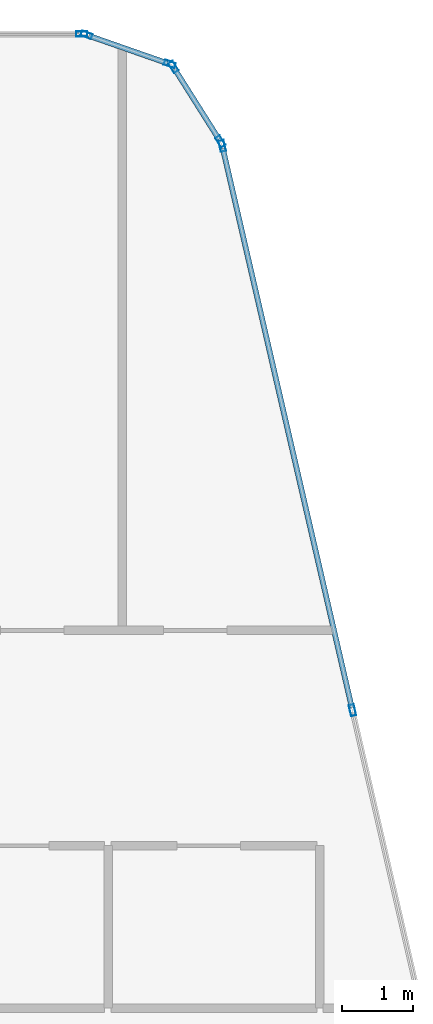
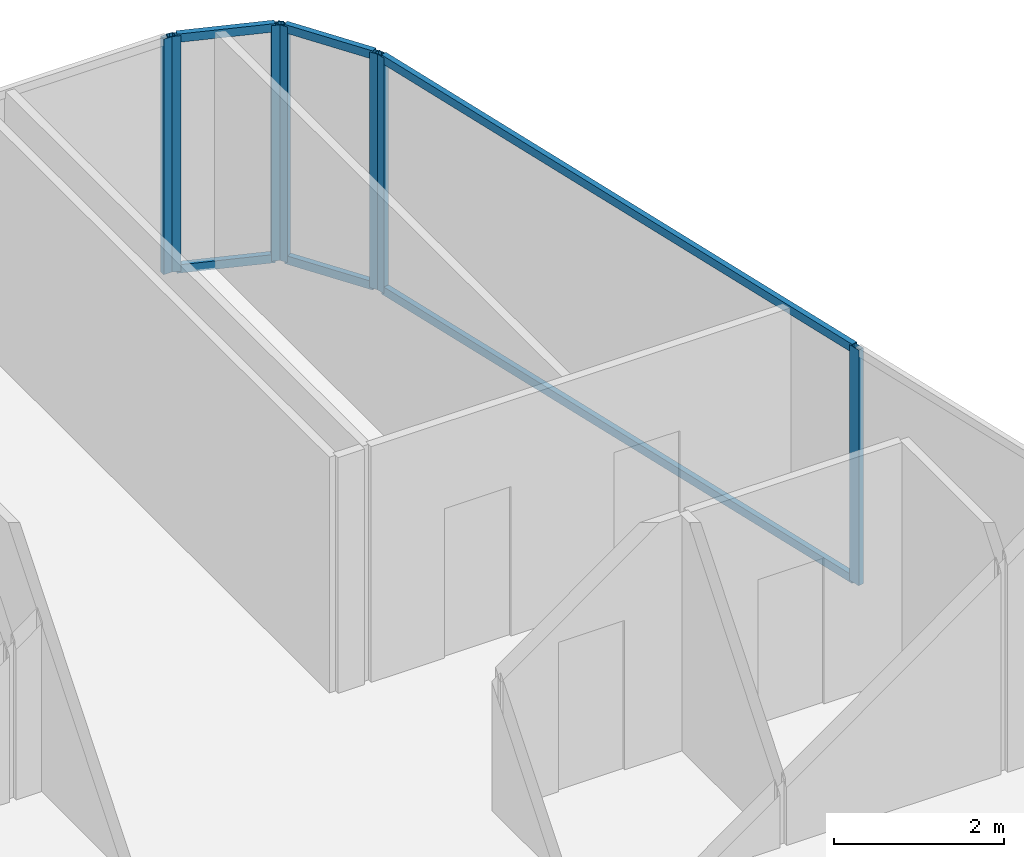
# One storey, part 19 of 27: 13 members, 4 elements without a shape of their own.
"""IFC4 building model written with IfcOpenShell, lengths in metres."""

from ifc_helpers import new_model, si_unit, direction, frame, origin, origin_2d, place, context, subcontext, project, spatial, hollow_rectangle, extrude, material, layer, layer_set, material_profile, profile_set, type_object, element, aggregate, save


model = new_model("IFC4")

# Units and contexts
model_context = context("Model", 3, precision=1e-05, world=origin(), true_north=direction((0.0, 1.0)))
body_context = subcontext(model_context, "Body", "Model", "MODEL_VIEW")
ifc_project = project(units=[si_unit("LENGTHUNIT", "METRE"), si_unit("AREAUNIT", "SQUARE_METRE"), si_unit("VOLUMEUNIT", "CUBIC_METRE"), si_unit("PLANEANGLEUNIT", "RADIAN"), si_unit("MASSUNIT", "GRAM", prefix="KILO")], contexts=[model_context])

# Site, building, storey
site_placement = place(None, origin())
site = spatial("IfcSite", under=ifc_project, at=site_placement, CompositionType="ELEMENT")
building_placement = place(site_placement, origin())
building = spatial("IfcBuilding", under=site, at=building_placement, Name="Keshet Zoharim Tower", CompositionType="ELEMENT")
storey_placement = place(building_placement, frame((0.0, 0.0, 284.300048828125)))
storey = spatial("IfcBuildingStorey", under=building, at=storey_placement, Name="L71", CompositionType="ELEMENT", Elevation=284.300048828125)

# Curtain wall, member
ifc_material = material(Name="Aluminium 6063-T6", Category="aluminium")
ifc_layer = layer(ifc_material, 0.260009765625)
ifc_layer_set = layer_set([ifc_layer], Name="Aluminium 6063-T6")
curtain_wall_type = type_object("IfcCurtainWallType", Name="CW-SYS-06", PredefinedType="NOTDEFINED", material=ifc_layer_set)
curtain_wall_1_placement = place(storey_placement, origin())
curtain_wall_1 = element("IfcCurtainWall", 1, at=curtain_wall_1_placement, inside=storey, type_object=curtain_wall_type, Name="L71 Unitised Curtain Wall 06 Part 5", PredefinedType="NOTDEFINED")
ifc_material_profile_1 = material_profile(ifc_material, hollow_rectangle(XDim=0.074951171875, YDim=0.159912109375, WallThickness=0.00390625, at=origin_2d()), Name="MUL-75x160")
ifc_profile_set_1 = profile_set([ifc_material_profile_1], Name="Aluminium 6063-T6")
member_type_1 = type_object("IfcMemberType", Name="CWM-M15", PredefinedType="MULLION", material=ifc_profile_set_1)
member_1_placement = place(storey_placement, frame((37.3740234375, 53.89990234375, 0.0), z_axis=(0.0, 0.0, 1.0), x_axis=(0.0, 1.0, 0.0)))
member_1 = element("IfcMember", 2, at=member_1_placement, type_object=member_type_1, Name="CW-06 mullion 2", PredefinedType="MULLION", context=body_context, shape_type="SweptSolid", body=[
    extrude(hollow_rectangle(XDim=0.074951171875, YDim=0.159912109375, WallThickness=0.00390625, at=origin_2d()), origin(), (0.0, 0.0, 1.0), 3.389892578125),
])
aggregate(curtain_wall_1, [member_1])

# Curtain wall, members
curtain_wall_2_placement = place(storey_placement, origin())
curtain_wall_2 = element("IfcCurtainWall", 3, at=curtain_wall_2_placement, inside=storey, type_object=curtain_wall_type, Name="L71 Unitised Curtain Wall 07", PredefinedType="NOTDEFINED")
member_2_placement = place(storey_placement, frame((37.442138671875, 53.888427734375, 0.0), z_axis=(0.0, 0.0, 1.0), x_axis=(0.329843743636, 0.944035542119, 0.0)))
member_2 = element("IfcMember", 4, at=member_2_placement, type_object=member_type_1, Name="CW-06 mullion 1", PredefinedType="MULLION", context=body_context, shape_type="SweptSolid", body=[
    extrude(hollow_rectangle(XDim=0.074951171875, YDim=0.159912109375, WallThickness=0.00390625, at=origin_2d()), origin(), (0.0, 0.0, 1.0), 3.389892578125),
])
member_3_placement = place(storey_placement, frame((38.620849609375, 53.4765625, 0.0), z_axis=(0.0, 0.0, 1.0), x_axis=(0.329843743636, 0.944035542119, 0.0)))
member_3 = element("IfcMember", 5, at=member_3_placement, type_object=member_type_1, Name="CW-06 mullion 2", PredefinedType="MULLION", context=body_context, shape_type="SweptSolid", body=[
    extrude(hollow_rectangle(XDim=0.074951171875, YDim=0.159912109375, WallThickness=0.00390625, at=origin_2d()), origin(), (0.0, 0.0, 1.0), 3.389892578125),
])

curtain_wall_3_placement = place(storey_placement, origin())
curtain_wall_3 = element("IfcCurtainWall", 6, at=curtain_wall_3_placement, inside=storey, type_object=curtain_wall_type, Name="L71 Unitised Curtain Wall 08", PredefinedType="NOTDEFINED")
member_4_placement = place(storey_placement, frame((38.672607421875, 53.435302734375, 0.0), z_axis=(0.0, 0.0, 1.0), x_axis=(0.845560976183, 0.533878858502, 0.0)))
member_4 = element("IfcMember", 7, at=member_4_placement, type_object=member_type_1, Name="CW-06 mullion 1", PredefinedType="MULLION", context=body_context, shape_type="SweptSolid", body=[
    extrude(hollow_rectangle(XDim=0.074951171875, YDim=0.159912109375, WallThickness=0.00390625, at=origin_2d()), origin(), (0.0, 0.0, 1.0), 3.389892578125),
])
member_5_placement = place(storey_placement, frame((39.33935546875, 52.379638671875, 0.0), z_axis=(0.0, 0.0, 1.0), x_axis=(0.845560976183, 0.533878858502, 0.0)))
member_5 = element("IfcMember", 8, at=member_5_placement, type_object=member_type_1, Name="CW-06 mullion 2", PredefinedType="MULLION", context=body_context, shape_type="SweptSolid", body=[
    extrude(hollow_rectangle(XDim=0.074951171875, YDim=0.159912109375, WallThickness=0.00390625, at=origin_2d()), origin(), (0.0, 0.0, 1.0), 3.389892578125),
])

curtain_wall_4_placement = place(storey_placement, origin())
curtain_wall_4 = element("IfcCurtainWall", 9, at=curtain_wall_4_placement, inside=storey, type_object=curtain_wall_type, Name="L71 Unitised Curtain Wall 09", PredefinedType="NOTDEFINED")
member_6_placement = place(storey_placement, frame((39.365966796875, 52.31591796875, 0.0), z_axis=(0.0, 0.0, 1.0), x_axis=(0.974398012932, 0.224829963294, 0.0)))
member_6 = element("IfcMember", 10, at=member_6_placement, type_object=member_type_1, Name="CW-06 mullion 1", PredefinedType="MULLION", context=body_context, shape_type="SweptSolid", body=[
    extrude(hollow_rectangle(XDim=0.074951171875, YDim=0.159912109375, WallThickness=0.00390625, at=origin_2d()), origin(), (0.0, 0.0, 1.0), 3.389892578125),
])
member_7_placement = place(storey_placement, frame((41.210693359375, 44.320556640625, 0.0), z_axis=(0.0, 0.0, 1.0), x_axis=(0.974398012932, 0.224829963294, 0.0)))
member_7 = element("IfcMember", 11, at=member_7_placement, type_object=member_type_1, Name="CW-06 mullion 2", PredefinedType="MULLION", context=body_context, shape_type="SweptSolid", body=[
    extrude(hollow_rectangle(XDim=0.074951171875, YDim=0.159912109375, WallThickness=0.00390625, at=origin_2d()), origin(), (0.0, 0.0, 1.0), 3.389892578125),
])

# Member
ifc_material_profile_2 = material_profile(ifc_material, hollow_rectangle(XDim=0.074951171875, YDim=0.1201171875, WallThickness=0.00390625, at=origin_2d()), Name="TRN-75x120")
ifc_profile_set_2 = profile_set([ifc_material_profile_2], Name="Aluminium 6063-T6")
member_type_2 = type_object("IfcMemberType", Name="CWT-T12", PredefinedType="USERDEFINED", material=ifc_profile_set_2)
member_8_placement = place(storey_placement, frame((37.47509765625, 53.876953125, 0.034912109375), z_axis=(0.944006789648, -0.329926023675, 0.0), x_axis=(0.329926023675, 0.944006789648, 0.0)))
member_8 = element("IfcMember", 12, at=member_8_placement, type_object=member_type_2, Name="CW-06 transom 1.1", ObjectType="TRANSOM", PredefinedType="USERDEFINED", context=body_context, shape_type="SweptSolid", body=[
    extrude(hollow_rectangle(XDim=0.074951171875, YDim=0.1201171875, WallThickness=0.00390625, at=origin_2d()), origin(), (0.0, 0.0, 1.0), 1.1787109375),
])

member_9_placement = place(storey_placement, frame((37.47509765625, 53.876953125, 3.35498046875), z_axis=(0.944006789648, -0.329926023675, 0.0), x_axis=(0.329926023675, 0.944006789648, 0.0)))
member_9 = element("IfcMember", 13, at=member_9_placement, type_object=member_type_2, Name="CW-06 transom 1.2", ObjectType="TRANSOM", PredefinedType="USERDEFINED", context=body_context, shape_type="SweptSolid", body=[
    extrude(hollow_rectangle(XDim=0.074951171875, YDim=0.1201171875, WallThickness=0.00390625, at=origin_2d()), origin(), (0.0, 0.0, 1.0), 1.1787109375),
])

aggregate(curtain_wall_2, [member_2, member_3, member_8, member_9])

member_10_placement = place(storey_placement, frame((38.69140625, 53.40576171875, 0.034912109375), z_axis=(0.53382931122, -0.845592257819, 0.0), x_axis=(0.845592257819, 0.53382931122, 0.0)))
member_10 = element("IfcMember", 14, at=member_10_placement, type_object=member_type_2, Name="CW-06 transom 1.1", ObjectType="TRANSOM", PredefinedType="USERDEFINED", context=body_context, shape_type="SweptSolid", body=[
    extrude(hollow_rectangle(XDim=0.074951171875, YDim=0.1201171875, WallThickness=0.00390625, at=origin_2d()), origin(), (0.0, 0.0, 1.0), 1.178466796875),
])

member_11_placement = place(storey_placement, frame((38.69140625, 53.40576171875, 3.35498046875), z_axis=(0.53382931122, -0.845592257819, 0.0), x_axis=(0.845592257819, 0.53382931122, 0.0)))
member_11 = element("IfcMember", 15, at=member_11_placement, type_object=member_type_2, Name="CW-06 transom 1.2", ObjectType="TRANSOM", PredefinedType="USERDEFINED", context=body_context, shape_type="SweptSolid", body=[
    extrude(hollow_rectangle(XDim=0.074951171875, YDim=0.1201171875, WallThickness=0.00390625, at=origin_2d()), origin(), (0.0, 0.0, 1.0), 1.178466796875),
])

aggregate(curtain_wall_3, [member_4, member_5, member_10, member_11])

member_12_placement = place(storey_placement, frame((39.373779296875, 52.28173828125, 0.034912109375), z_axis=(0.224835397421, -0.97439675906, 0.0), x_axis=(0.97439675906, 0.224835397421, 0.0)))
member_12 = element("IfcMember", 16, at=member_12_placement, type_object=member_type_2, Name="CW-06 transom 1.1", ObjectType="TRANSOM", PredefinedType="USERDEFINED", context=body_context, shape_type="SweptSolid", body=[
    extrude(hollow_rectangle(XDim=0.074951171875, YDim=0.1201171875, WallThickness=0.00390625, at=origin_2d()), origin(), (0.0, 0.0, 1.0), 8.13525390625),
])

member_13_placement = place(storey_placement, frame((39.373779296875, 52.28173828125, 3.35498046875), z_axis=(0.224835397421, -0.97439675906, 0.0), x_axis=(0.97439675906, 0.224835397421, 0.0)))
member_13 = element("IfcMember", 17, at=member_13_placement, type_object=member_type_2, Name="CW-06 transom 1.2", ObjectType="TRANSOM", PredefinedType="USERDEFINED", context=body_context, shape_type="SweptSolid", body=[
    extrude(hollow_rectangle(XDim=0.074951171875, YDim=0.1201171875, WallThickness=0.00390625, at=origin_2d()), origin(), (0.0, 0.0, 1.0), 8.13525390625),
])

aggregate(curtain_wall_4, [member_6, member_7, member_12, member_13])

save(model, "model.ifc")
